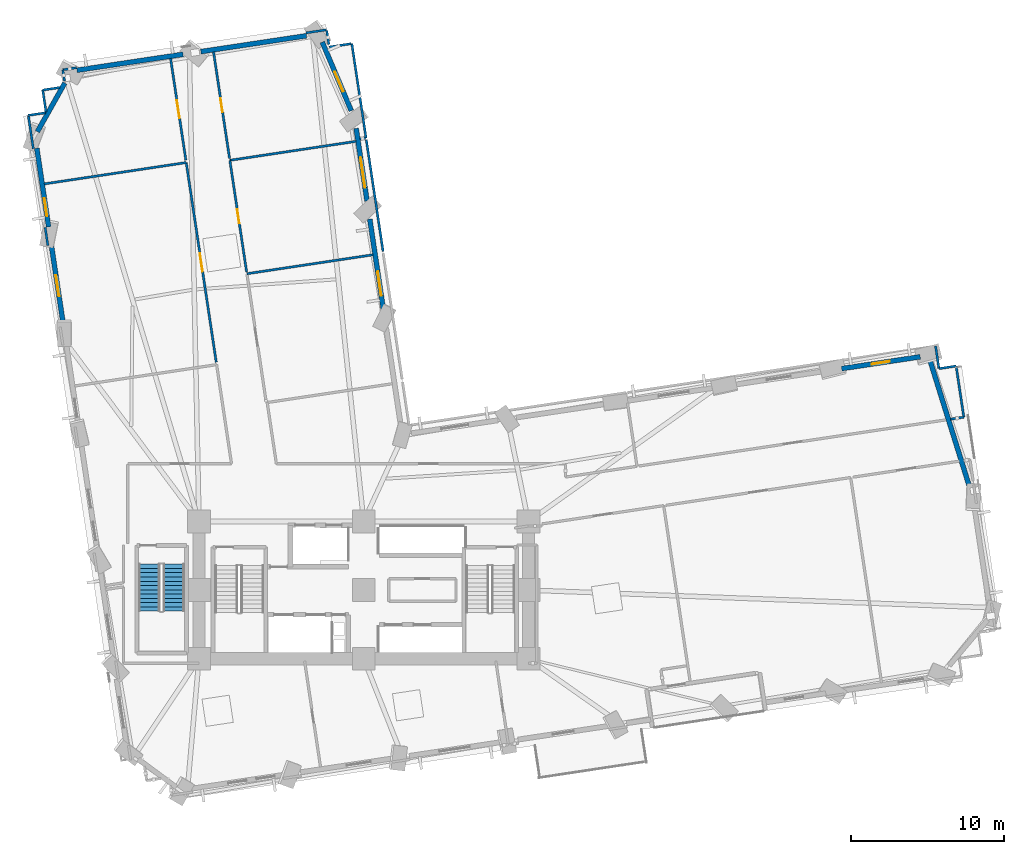
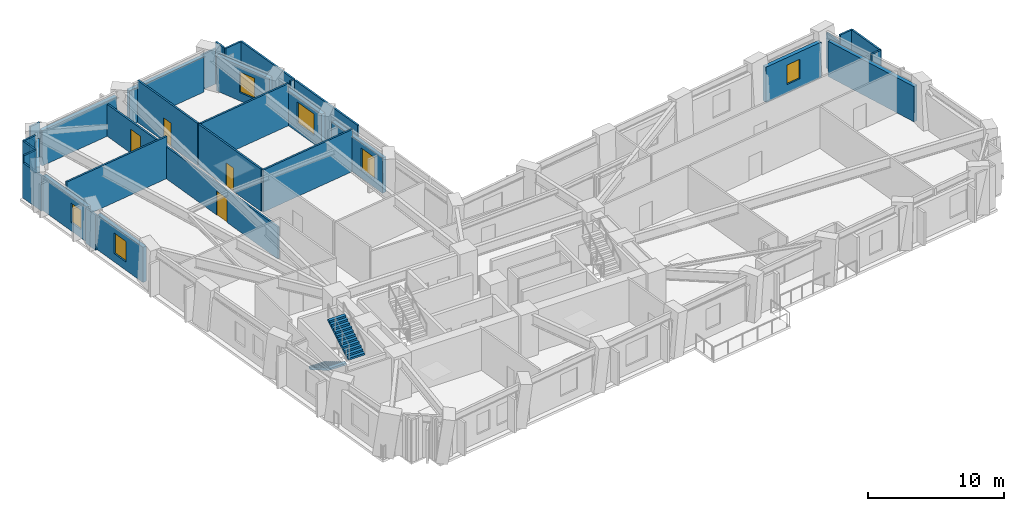
# One storey, part 10 of 15: 34 walls, 6 windows, 4 doors, 2 stair flights, 10 openings, 1 element without a shape of its own.
"""IFC4 building model written with IfcOpenShell, lengths in metres."""

from ifc_helpers import new_model, si_unit, direction, frame, frame_2d, origin, place, context, subcontext, project, spatial, polyline, rectangle, outline, extrude, material, layer, layer_set, type_object, element, fill, aggregate, save


model = new_model("IFC4")

# Units and contexts
model_context = context("Model", 3, precision=1e-05, world=origin(), true_north=direction((0.0, 1.0)))
body_context = subcontext(model_context, "Body", "Model", "MODEL_VIEW")
ifc_project = project(units=[si_unit("LENGTHUNIT", "METRE"), si_unit("AREAUNIT", "SQUARE_METRE"), si_unit("VOLUMEUNIT", "CUBIC_METRE"), si_unit("PLANEANGLEUNIT", "RADIAN"), si_unit("MASSUNIT", "GRAM", prefix="KILO")], contexts=[model_context])

# Site, building, storey
site_placement = place(None, origin())
site = spatial("IfcSite", under=ifc_project, at=site_placement, CompositionType="ELEMENT")
building_placement = place(site_placement, origin())
building = spatial("IfcBuilding", under=site, at=building_placement, Name="Gaonmaruhae Medical Tower", CompositionType="ELEMENT")
storey_placement = place(building_placement, frame((0.0, 0.0, 59.0)))
storey = spatial("IfcBuildingStorey", under=building, at=storey_placement, Name="L13", CompositionType="ELEMENT", Elevation=59.0)

# Wall
ifc_material_1 = material(Name="Precast concrete C45/55", Category="concrete")
ifc_layer_1 = layer(ifc_material_1, 0.320068359375)
ifc_layer_set_1 = layer_set([ifc_layer_1], Name="Precast concrete C45/55")
wall_type_1 = type_object("IfcWallType", Name="EW-320 Lower Precast Masonry-Frame Facade Wall", PredefinedType="SOLIDWALL", material=ifc_layer_set_1)
wall_1_placement = place(storey_placement, frame((61.947509765625, 27.32177734375, 0.0), z_axis=(0.0, 0.0, 1.0), x_axis=(0.298050664907, -0.954550051673, 0.0)))
element("IfcWall", 1, at=wall_1_placement, inside=storey, type_object=wall_type_1, Name="L13 Precast Masonry-Frame Wall E02-E03", PredefinedType="SOLIDWALL", context=body_context, shape_type="SweptSolid", body=[
    extrude(rectangle(XDim=8.614013671875, YDim=0.320068359375, at=frame_2d((4.30712890625, 0.0))), origin(), (0.0, 0.0, 1.0), 3.1650390625),
])

# Wall, opening, window
wall_2_placement = place(storey_placement, frame((56.13916015625, 26.823486328125, 0.0), z_axis=(0.0, 0.0, 1.0), x_axis=(0.988887137773, 0.148668183374, 0.0)))
wall_2 = element("IfcWall", 2, at=wall_2_placement, inside=storey, type_object=wall_type_1, Name="L13 Precast Masonry-Frame Wall E03-EN01", PredefinedType="SOLIDWALL", context=body_context, shape_type="SweptSolid", body=[
    extrude(rectangle(XDim=5.208984375, YDim=0.320068359375, at=frame_2d((2.6044921875, 0.0))), origin(), (0.0, 0.0, 1.0), 3.1650390625),
])
opening_1_placement = place(wall_2_placement, frame((2.0, 0.0, 0.75)))
opening_1 = element("IfcOpeningElement", 3, at=opening_1_placement, cuts=wall_2, Name="Opening WN-05", PredefinedType="OPENING", context=body_context, shape_type="SweptSolid", body=[
    extrude(rectangle(XDim=1.199951171875, YDim=1.75, at=frame_2d((0.60009765625, 0.875))), frame((0.0, 0.169921875, 0.0), z_axis=(0.0, -1.0, 0.0), x_axis=(1.0, 0.0, 0.0)), (0.0, 0.0, 1.0), 0.340087890625),
])
ifc_material_2 = material(Name="Anodised aluminium and Low-E double glazing", Category="aluminium")
window_type_1 = type_object("IfcWindowType", Name="WN-05 Support & Staff Punched Window 1200x1750", PartitioningType="SINGLE_PANEL", PredefinedType="WINDOW", material=ifc_material_2)
window_1_placement = place(opening_1_placement, origin())
window_1 = element("IfcWindow", 4, at=window_1_placement, inside=storey, type_object=window_type_1, Name="L13 Modular Facade Window E03", OverallHeight=1.75, OverallWidth=1.199951171875, PartitioningType="SINGLE_PANEL", PredefinedType="WINDOW", context=body_context, shape_type="SweptSolid", body=[
    extrude(rectangle(XDim=1.199951171875, YDim=1.75, at=frame_2d((0.60009765625, 0.875))), frame((0.0, 0.030029296875, 0.0), z_axis=(0.0, -1.0, 0.0), x_axis=(1.0, 0.0, 0.0)), (0.0, 0.0, 1.0), 0.06005859375),
])
fill(opening_1, window_1)

wall_3_placement = place(storey_placement, frame((26.08935546875, 30.69970703125, 0.0), z_axis=(0.0, 0.0, 1.0), x_axis=(-0.148645050691, 0.988890615238, 0.0)))
wall_3 = element("IfcWall", 5, at=wall_3_placement, inside=storey, type_object=wall_type_1, Name="L13 Precast Masonry-Frame Wall NE01-NE02", PredefinedType="SOLIDWALL", context=body_context, shape_type="SweptSolid", body=[
    extrude(rectangle(XDim=5.99658203125, YDim=0.320068359375, at=frame_2d((2.998291015625, 0.0))), origin(), (0.0, 0.0, 1.0), 3.1650390625),
])
opening_2_placement = place(wall_3_placement, frame((0.920166015625, 0.0, 0.75)))
opening_2 = element("IfcOpeningElement", 6, at=opening_2_placement, cuts=wall_3, Name="Opening WN-01", PredefinedType="OPENING", context=body_context, shape_type="SweptSolid", body=[
    extrude(rectangle(XDim=1.60009765625, YDim=1.949951171875, at=frame_2d((0.800048828125, 0.97509765625))), frame((0.0, 0.169921875, 0.0), z_axis=(0.0, -1.0, 0.0), x_axis=(1.0, 0.0, 0.0)), (0.0, 0.0, 1.0), 0.340087890625),
])
window_type_2 = type_object("IfcWindowType", Name="WN-01 Ward Punched Acoustic Window 1600x1950", PartitioningType="SINGLE_PANEL", PredefinedType="WINDOW", material=ifc_material_2)
window_2_placement = place(opening_2_placement, origin())
window_2 = element("IfcWindow", 7, at=window_2_placement, inside=storey, type_object=window_type_2, Name="L13 Modular Facade Window NE01", OverallHeight=1.949951171875, OverallWidth=1.60009765625, PartitioningType="SINGLE_PANEL", PredefinedType="WINDOW", context=body_context, shape_type="SweptSolid", body=[
    extrude(rectangle(XDim=1.60009765625, YDim=1.949951171875, at=frame_2d((0.800048828125, 0.97509765625))), frame((0.0, 0.030029296875, 0.0), z_axis=(0.0, -1.0, 0.0), x_axis=(1.0, 0.0, 0.0)), (0.0, 0.0, 1.0), 0.06005859375),
])
fill(opening_2, window_2)

wall_4_placement = place(storey_placement, frame((25.020263671875, 37.811279296875, 0.0), z_axis=(0.0, 0.0, 1.0), x_axis=(-0.148677559995, 0.988885728056, 0.0)))
wall_4 = element("IfcWall", 8, at=wall_4_placement, inside=storey, type_object=wall_type_1, Name="L13 Precast Masonry-Frame Wall NE02-NE03", PredefinedType="SOLIDWALL", context=body_context, shape_type="SweptSolid", body=[
    extrude(rectangle(XDim=4.816162109375, YDim=0.320068359375, at=frame_2d((2.408203125, 0.0))), origin(), (0.0, 0.0, 1.0), 3.1650390625),
])
opening_3_placement = place(wall_4_placement, frame((0.88623046875, 0.0, 0.75)))
opening_3 = element("IfcOpeningElement", 9, at=opening_3_placement, cuts=wall_4, Name="Opening WN-02", PredefinedType="OPENING", context=body_context, shape_type="SweptSolid", body=[
    extrude(rectangle(XDim=2.0, YDim=1.949951171875, at=frame_2d((1.0, 0.97509765625))), frame((0.0, 0.169921875, 0.0), z_axis=(0.0, -1.0, 0.0), x_axis=(1.0, 0.0, 0.0)), (0.0, 0.0, 1.0), 0.340087890625),
])
window_type_3 = type_object("IfcWindowType", Name="WN-02 Double-Bed Ward Punched Window 2000x1950", PartitioningType="SINGLE_PANEL", PredefinedType="WINDOW", material=ifc_material_2)
window_3_placement = place(opening_3_placement, origin())
window_3 = element("IfcWindow", 10, at=window_3_placement, inside=storey, type_object=window_type_3, Name="L13 Modular Facade Window NE02", OverallHeight=1.949951171875, OverallWidth=2.0, PartitioningType="SINGLE_PANEL", PredefinedType="WINDOW", context=body_context, shape_type="SweptSolid", body=[
    extrude(rectangle(XDim=2.0, YDim=1.949951171875, at=frame_2d((1.0, 0.97509765625))), frame((0.0, 0.030029296875, 0.0), z_axis=(0.0, -1.0, 0.0), x_axis=(1.0, 0.0, 0.0)), (0.0, 0.0, 1.0), 0.06005859375),
])
fill(opening_3, window_3)

wall_5_placement = place(storey_placement, frame((22.081787109375, 48.23583984375, 0.0), z_axis=(0.0, 0.0, 1.0), x_axis=(0.389648135914, -0.920963805032, 0.0)))
wall_5 = element("IfcWall", 11, at=wall_5_placement, inside=storey, type_object=wall_type_1, Name="L13 Precast Masonry-Frame Wall NE03-N01", PredefinedType="SOLIDWALL", context=body_context, shape_type="SweptSolid", body=[
    extrude(rectangle(XDim=4.88916015625, YDim=0.320068359375, at=frame_2d((2.444580078125, 0.0))), origin(), (0.0, 0.0, 1.0), 3.1650390625),
])
opening_4_placement = place(wall_5_placement, frame((2.11474609375, 0.0, 0.75)))
opening_4 = element("IfcOpeningElement", 12, at=opening_4_placement, cuts=wall_5, Name="Opening WN-03", PredefinedType="OPENING", context=body_context, shape_type="SweptSolid", body=[
    extrude(rectangle(XDim=1.39990234375, YDim=1.85009765625, at=frame_2d((0.699951171875, 0.925048828125))), frame((0.0, 0.169921875, 0.0), z_axis=(0.0, -1.0, 0.0), x_axis=(1.0, 0.0, 0.0)), (0.0, 0.0, 1.0), 0.340087890625),
])
window_type_4 = type_object("IfcWindowType", Name="WN-03 Isolation Ward Punched Window 1400x1850", PartitioningType="SINGLE_PANEL", PredefinedType="WINDOW", material=ifc_material_2)
window_4_placement = place(opening_4_placement, origin())
window_4 = element("IfcWindow", 13, at=window_4_placement, inside=storey, type_object=window_type_4, Name="L13 Modular Facade Window NE03", OverallHeight=1.85009765625, OverallWidth=1.39990234375, PartitioningType="SINGLE_PANEL", PredefinedType="WINDOW", context=body_context, shape_type="SweptSolid", body=[
    extrude(rectangle(XDim=1.39990234375, YDim=1.85009765625, at=frame_2d((0.699951171875, 0.925048828125))), frame((0.0, 0.030029296875, 0.0), z_axis=(0.0, -1.0, 0.0), x_axis=(1.0, 0.0, 0.0)), (0.0, 0.0, 1.0), 0.06005859375),
])
fill(opening_4, window_4)

# Walls
wall_6_placement = place(storey_placement, frame((14.125, 47.608154296875, 0.0), z_axis=(0.0, 0.0, 1.0), x_axis=(0.988884639761, 0.1486847983, 0.0)))
element("IfcWall", 14, at=wall_6_placement, inside=storey, type_object=wall_type_1, Name="L13 Precast Masonry-Frame Wall N01-N02", PredefinedType="SOLIDWALL", context=body_context, shape_type="SweptSolid", body=[
    extrude(rectangle(XDim=7.003173828125, YDim=0.320068359375, at=frame_2d((3.50146484375, 0.0))), origin(), (0.0, 0.0, 1.0), 3.1650390625),
])
wall_7_placement = place(storey_placement, frame((5.9970703125, 46.385986328125, 0.0), z_axis=(0.0, 0.0, 1.0), x_axis=(0.988885892839, 0.14867646399, 0.0)))
element("IfcWall", 15, at=wall_7_placement, inside=storey, type_object=wall_type_1, Name="L13 Precast Masonry-Frame Wall N02-N03", PredefinedType="SOLIDWALL", context=body_context, shape_type="SweptSolid", body=[
    extrude(rectangle(XDim=7.03466796875, YDim=0.320068359375, at=frame_2d((3.517333984375, 0.0))), origin(), (0.0, 0.0, 1.0), 3.1650390625),
])
wall_8_placement = place(storey_placement, frame((3.39990234375, 42.356201171875, 0.0), z_axis=(0.0, 0.0, 1.0), x_axis=(0.490548940901, 0.871413642641, 0.0)))
element("IfcWall", 16, at=wall_8_placement, inside=storey, type_object=wall_type_1, Name="L13 Precast Masonry-Frame Wall N03-W01", PredefinedType="SOLIDWALL", context=body_context, shape_type="SweptSolid", body=[
    extrude(rectangle(XDim=3.666015625, YDim=0.320068359375, at=frame_2d((1.8330078125, 0.0))), origin(), (0.0, 0.0, 1.0), 3.1650390625),
])

# Wall, opening, window
wall_9_placement = place(storey_placement, frame((4.140869140625, 36.1123046875, 0.0), z_axis=(0.0, 0.0, 1.0), x_axis=(-0.14868786964, 0.988884177961, 0.0)))
wall_9 = element("IfcWall", 17, at=wall_9_placement, inside=storey, type_object=wall_type_1, Name="L13 Precast Masonry-Frame Wall W01-W02", PredefinedType="SOLIDWALL", context=body_context, shape_type="SweptSolid", body=[
    extrude(rectangle(XDim=5.22314453125, YDim=0.320068359375, at=frame_2d((2.611572265625, 0.0))), origin(), (0.0, 0.0, 1.0), 3.1650390625),
])
opening_5_placement = place(wall_9_placement, frame((0.714599609375, 0.0, 0.75)))
opening_5 = element("IfcOpeningElement", 18, at=opening_5_placement, cuts=wall_9, Name="Opening WN-05", PredefinedType="OPENING", context=body_context, shape_type="SweptSolid", body=[
    extrude(rectangle(XDim=1.199951171875, YDim=1.75, at=frame_2d((0.60009765625, 0.875))), frame((0.0, 0.169921875, 0.0), z_axis=(0.0, -1.0, 0.0), x_axis=(1.0, 0.0, 0.0)), (0.0, 0.0, 1.0), 0.340087890625),
])
window_5_placement = place(opening_5_placement, origin())
window_5 = element("IfcWindow", 19, at=window_5_placement, inside=storey, type_object=window_type_1, Name="L13 Modular Facade Window W01", OverallHeight=1.75, OverallWidth=1.199951171875, PartitioningType="SINGLE_PANEL", PredefinedType="WINDOW", context=body_context, shape_type="SweptSolid", body=[
    extrude(rectangle(XDim=1.199951171875, YDim=1.75, at=frame_2d((0.60009765625, 0.875))), frame((0.0, 0.030029296875, 0.0), z_axis=(0.0, -1.0, 0.0), x_axis=(1.0, 0.0, 0.0)), (0.0, 0.0, 1.0), 0.06005859375),
])
fill(opening_5, window_5)

wall_10_placement = place(storey_placement, frame((5.12060546875, 29.594970703125, 0.0), z_axis=(0.0, 0.0, 1.0), x_axis=(-0.148683082454, 0.988884897747, 0.0)))
wall_10 = element("IfcWall", 20, at=wall_10_placement, inside=storey, type_object=wall_type_1, Name="L13 Precast Masonry-Frame Wall W02-W03", PredefinedType="SOLIDWALL", context=body_context, shape_type="SweptSolid", body=[
    extrude(rectangle(XDim=5.400634765625, YDim=0.320068359375, at=frame_2d((2.7001953125, 0.0))), origin(), (0.0, 0.0, 1.0), 3.1650390625),
])
opening_6_placement = place(wall_10_placement, frame((1.998291015625, 0.0, 0.75)))
opening_6 = element("IfcOpeningElement", 21, at=opening_6_placement, cuts=wall_10, Name="Opening WN-03", PredefinedType="OPENING", context=body_context, shape_type="SweptSolid", body=[
    extrude(rectangle(XDim=1.39990234375, YDim=1.85009765625, at=frame_2d((0.699951171875, 0.925048828125))), frame((0.0, 0.169921875, 0.0), z_axis=(0.0, -1.0, 0.0), x_axis=(1.0, 0.0, 0.0)), (0.0, 0.0, 1.0), 0.340087890625),
])
window_6_placement = place(opening_6_placement, origin())
window_6 = element("IfcWindow", 22, at=window_6_placement, inside=storey, type_object=window_type_4, Name="L13 Modular Facade Window W02", OverallHeight=1.85009765625, OverallWidth=1.39990234375, PartitioningType="SINGLE_PANEL", PredefinedType="WINDOW", context=body_context, shape_type="SweptSolid", body=[
    extrude(rectangle(XDim=1.39990234375, YDim=1.85009765625, at=frame_2d((0.699951171875, 0.925048828125))), frame((0.0, 0.030029296875, 0.0), z_axis=(0.0, -1.0, 0.0), x_axis=(1.0, 0.0, 0.0)), (0.0, 0.0, 1.0), 0.06005859375),
])
fill(opening_6, window_6)

# Wall
ifc_material_3 = material(Name="Gypsum board partition", Category="gypsum")
ifc_layer_2 = layer(ifc_material_3, 0.14990234375)
ifc_layer_set_2 = layer_set([ifc_layer_2], Name="Gypsum board partition")
wall_type_2 = type_object("IfcWallType", Name="PW-150 Rated Clinical Corridor Partition", PredefinedType="PARTITIONING", material=ifc_layer_set_2)
wall_11_placement = place(storey_placement, frame((3.85302734375, 38.93408203125, 0.0), z_axis=(0.0, 0.0, 1.0), x_axis=(0.988883411983, 0.148692963872, 0.0)))
element("IfcWall", 23, at=wall_11_placement, inside=storey, type_object=wall_type_2, Name="L13 Interior Partition L13-WOF07-51", PredefinedType="PARTITIONING", context=body_context, shape_type="SweptSolid", body=[
    extrude(rectangle(XDim=9.414794921875, YDim=0.14990234375, at=frame_2d((4.70751953125, 0.0))), origin(), (0.0, 0.0, 1.0), 3.780029296875),
])

# Wall, opening, door
wall_12_placement = place(storey_placement, frame((13.1630859375, 40.333984375, 0.0), z_axis=(0.0, 0.0, 1.0), x_axis=(0.148712834823, -0.988880423893, 0.0)))
wall_12 = element("IfcWall", 24, at=wall_12_placement, inside=storey, type_object=wall_type_2, Name="L13 Interior Partition L13-WOF07-52", PredefinedType="PARTITIONING", context=body_context, shape_type="SweptSolid", body=[
    extrude(rectangle(XDim=13.240234375, YDim=0.14990234375, at=frame_2d((6.6201171875, 0.0))), origin(), (0.0, 0.0, 1.0), 2.864990234375),
])
opening_7_placement = place(wall_12_placement, frame((6.02001953125, 0.0, 0.0)))
opening_7 = element("IfcOpeningElement", 25, at=opening_7_placement, cuts=wall_12, Name="Opening CD-02", PredefinedType="OPENING", context=body_context, shape_type="SweptSolid", body=[
    extrude(rectangle(XDim=1.199951171875, YDim=2.14990234375, at=frame_2d((0.60009765625, 1.074951171875))), frame((0.0, 0.0849609375, 0.0), z_axis=(0.0, -1.0, 0.0), x_axis=(1.0, 0.0, 0.0)), (0.0, 0.0, 1.0), 0.169921875),
])
ifc_material_4 = material(Name="Antimicrobial laminate timber fire door", Category="wood")
door_type_1 = type_object("IfcDoorType", Name="CD-02 Clinical Treatment & Procedure Door 1200x2150", OperationType="NOTDEFINED", PredefinedType="DOOR", material=ifc_material_4)
door_1_placement = place(opening_7_placement, origin())
door_1 = element("IfcDoor", 26, at=door_1_placement, inside=storey, type_object=door_type_1, Name="L13 Ward Physician Reporting Office Door", OperationType="SINGLE_SWING_LEFT", OverallHeight=2.14990234375, OverallWidth=1.199951171875, PredefinedType="DOOR", context=body_context, shape_type="SweptSolid", body=[
    extrude(rectangle(XDim=1.199951171875, YDim=2.14990234375, at=frame_2d((0.60009765625, 1.074951171875))), frame((0.0, 0.02490234375, 0.0), z_axis=(0.0, -1.0, 0.0), x_axis=(1.0, 0.0, 0.0)), (0.0, 0.0, 1.0), 0.050048828125),
])
fill(opening_7, door_1)

# Walls
wall_13_placement = place(storey_placement, frame((4.090087890625, 34.90087890625, 0.0), z_axis=(0.0, 0.0, 1.0), x_axis=(-0.148711563155, 0.988880615132, 0.0)))
element("IfcWall", 27, at=wall_13_placement, inside=storey, type_object=wall_type_2, Name="L13 Interior Partition L13-WOF07-54", PredefinedType="PARTITIONING", context=body_context, shape_type="SweptSolid", body=[
    extrude(rectangle(XDim=1.190185546875, YDim=0.14990234375, at=frame_2d((0.59521484375, 0.0))), origin(), (0.0, 0.0, 1.0), 3.1650390625),
])
wall_14_placement = place(storey_placement, frame((3.751953125, 45.087890625, 0.0), z_axis=(0.0, 0.0, 1.0), x_axis=(0.988898574791, 0.148592088537, 0.0)))
element("IfcWall", 28, at=wall_14_placement, inside=storey, type_object=wall_type_2, Name="L13 Interior Partition L13-WOF08-55", PredefinedType="PARTITIONING", context=body_context, shape_type="SweptSolid", body=[
    extrude(rectangle(XDim=1.138671875, YDim=0.14990234375, at=frame_2d((0.5693359375, 0.0))), origin(), (0.0, 0.0, 1.0), 3.780029296875),
])
wall_15_placement = place(storey_placement, frame((5.178955078125, 45.68408203125, 0.0), z_axis=(0.0, 0.0, 1.0), x_axis=(-0.148050860535, 0.988979748374, 0.0)))
element("IfcWall", 29, at=wall_15_placement, inside=storey, type_object=wall_type_2, Name="L13 Interior Partition L13-WOF08-56", PredefinedType="PARTITIONING", context=body_context, shape_type="SweptSolid", body=[
    extrude(rectangle(XDim=0.741943359375, YDim=0.14990234375, at=frame_2d((0.37109375, 0.0))), origin(), (0.0, 0.0, 1.0), 2.864990234375),
])
wall_16_placement = place(storey_placement, frame((5.069091796875, 46.41796875, 0.0), z_axis=(0.0, 0.0, 1.0), x_axis=(0.9888459469, 0.1489419125, 0.0)))
element("IfcWall", 30, at=wall_16_placement, inside=storey, type_object=wall_type_2, Name="L13 Interior Partition L13-WOF08-57", PredefinedType="PARTITIONING", context=body_context, shape_type="SweptSolid", body=[
    extrude(rectangle(XDim=0.9130859375, YDim=0.14990234375, at=frame_2d((0.45654296875, 0.0))), origin(), (0.0, 0.0, 1.0), 3.780029296875),
])

# Wall, opening, door
wall_17_placement = place(storey_placement, frame((12.135009765625, 47.172119140625, 0.0), z_axis=(0.0, 0.0, 1.0), x_axis=(0.14875397829, -0.988874235655, 0.0)))
wall_17 = element("IfcWall", 31, at=wall_17_placement, inside=storey, type_object=wall_type_2, Name="L13 Interior Partition L13-WOF08-58", PredefinedType="PARTITIONING", context=body_context, shape_type="SweptSolid", body=[
    extrude(rectangle(XDim=6.75537109375, YDim=0.14990234375, at=frame_2d((3.377685546875, 0.0))), origin(), (0.0, 0.0, 1.0), 2.864990234375),
])
opening_8_placement = place(wall_17_placement, frame((2.777587890625, 0.0, 0.0)))
opening_8 = element("IfcOpeningElement", 32, at=opening_8_placement, cuts=wall_17, Name="Opening CD-02", PredefinedType="OPENING", context=body_context, shape_type="SweptSolid", body=[
    extrude(rectangle(XDim=1.199951171875, YDim=2.14990234375, at=frame_2d((0.60009765625, 1.074951171875))), frame((0.0, 0.0849609375, 0.0), z_axis=(0.0, -1.0, 0.0), x_axis=(1.0, 0.0, 0.0)), (0.0, 0.0, 1.0), 0.169921875),
])
door_2_placement = place(opening_8_placement, origin())
door_2 = element("IfcDoor", 33, at=door_2_placement, inside=storey, type_object=door_type_1, Name="L13 Ward Physician Reporting Office Door", OperationType="SINGLE_SWING_LEFT", OverallHeight=2.14990234375, OverallWidth=1.199951171875, PredefinedType="DOOR", context=body_context, shape_type="SweptSolid", body=[
    extrude(rectangle(XDim=1.199951171875, YDim=2.14990234375, at=frame_2d((0.60009765625, 1.074951171875))), frame((0.0, 0.02490234375, 0.0), z_axis=(0.0, -1.0, 0.0), x_axis=(1.0, 0.0, 0.0)), (0.0, 0.0, 1.0), 0.050048828125),
])
fill(opening_8, door_2)

# Walls
wall_18_placement = place(storey_placement, frame((3.136962890625, 41.242919921875, 0.0), z_axis=(0.0, 0.0, 1.0), x_axis=(-0.148761674769, 0.988873077862, 0.0)))
element("IfcWall", 34, at=wall_18_placement, inside=storey, type_object=wall_type_2, Name="L13 Interior Partition L13-WOF08-59", PredefinedType="PARTITIONING", context=body_context, shape_type="SweptSolid", body=[
    extrude(rectangle(XDim=2.210693359375, YDim=0.14990234375, at=frame_2d((1.10546875, 0.0))), origin(), (0.0, 0.0, 1.0), 3.1650390625),
])
wall_19_placement = place(storey_placement, frame((2.80810546875, 43.428955078125, 0.0), z_axis=(0.0, 0.0, 1.0), x_axis=(0.988734554704, 0.149679592241, 0.0)))
element("IfcWall", 35, at=wall_19_placement, inside=storey, type_object=wall_type_2, Name="L13 Interior Partition L13-WOF08-60", PredefinedType="PARTITIONING", context=body_context, shape_type="SweptSolid", body=[
    extrude(rectangle(XDim=1.14990234375, YDim=0.14990234375, at=frame_2d((0.574951171875, 0.0))), origin(), (0.0, 0.0, 1.0), 3.780029296875),
])
wall_20_placement = place(storey_placement, frame((3.968994140625, 43.64306640625, 0.0), z_axis=(0.0, 0.0, 1.0), x_axis=(-0.148552900816, 0.988904462352, 0.0)))
element("IfcWall", 36, at=wall_20_placement, inside=storey, type_object=wall_type_2, Name="L13 Interior Partition L13-WOF08-61", PredefinedType="PARTITIONING", context=body_context, shape_type="SweptSolid", body=[
    extrude(rectangle(XDim=1.4609375, YDim=0.14990234375, at=frame_2d((0.73046875, 0.0))), origin(), (0.0, 0.0, 1.0), 3.780029296875),
])
wall_21_placement = place(storey_placement, frame((63.64794921875, 26.991943359375, 0.0), z_axis=(0.0, 0.0, 1.0), x_axis=(0.148685493324, -0.988884535259, 0.0)))
element("IfcWall", 37, at=wall_21_placement, inside=storey, type_object=wall_type_2, Name="L13 Interior Partition L13-IE02-70", PredefinedType="PARTITIONING", context=body_context, shape_type="SweptSolid", body=[
    extrude(rectangle(XDim=3.390625, YDim=0.14990234375, at=frame_2d((1.6953125, 0.0))), origin(), (0.0, 0.0, 1.0), 3.780029296875),
])
wall_22_placement = place(storey_placement, frame((64.152099609375, 23.638916015625, 0.0), z_axis=(0.0, 0.0, 1.0), x_axis=(-0.988928228483, -0.148394605394, 0.0)))
element("IfcWall", 38, at=wall_22_placement, inside=storey, type_object=wall_type_2, Name="L13 Interior Partition L13-IE02-71", PredefinedType="PARTITIONING", context=body_context, shape_type="SweptSolid", body=[
    extrude(rectangle(XDim=0.8818359375, YDim=0.14990234375, at=frame_2d((0.44091796875, 0.0))), origin(), (0.0, 0.0, 1.0), 3.780029296875),
])
wall_23_placement = place(storey_placement, frame((62.298095703125, 28.305908203125, 0.0), z_axis=(0.0, 0.0, 1.0), x_axis=(0.148547308506, -0.98890530241, 0.0)))
element("IfcWall", 39, at=wall_23_placement, inside=storey, type_object=wall_type_2, Name="L13 Interior Partition L13-IE02-74", PredefinedType="PARTITIONING", context=body_context, shape_type="SweptSolid", body=[
    extrude(rectangle(XDim=1.50048828125, YDim=0.14990234375, at=frame_2d((0.750244140625, 0.0))), origin(), (0.0, 0.0, 1.0), 3.1650390625),
])
wall_24_placement = place(storey_placement, frame((62.52099609375, 26.822021484375, 0.0), z_axis=(0.0, 0.0, 1.0), x_axis=(0.988822933867, 0.149094619145, 0.0)))
element("IfcWall", 40, at=wall_24_placement, inside=storey, type_object=wall_type_2, Name="L13 Interior Partition L13-IE02-75", PredefinedType="PARTITIONING", context=body_context, shape_type="SweptSolid", body=[
    extrude(rectangle(XDim=1.1396484375, YDim=0.14990234375, at=frame_2d((0.56982421875, 0.0))), origin(), (0.0, 0.0, 1.0), 3.780029296875),
])
wall_25_placement = place(storey_placement, frame((17.14111328125, 33.044921875, 0.0), z_axis=(0.0, 0.0, 1.0), x_axis=(0.988894782311, 0.148617325764, 0.0)))
element("IfcWall", 41, at=wall_25_placement, inside=storey, type_object=wall_type_2, Name="L13 Interior Partition L13-IN01-77", PredefinedType="PARTITIONING", context=body_context, shape_type="SweptSolid", body=[
    extrude(rectangle(XDim=8.36474609375, YDim=0.14990234375, at=frame_2d((4.182373046875, 0.0))), origin(), (0.0, 0.0, 1.0), 3.780029296875),
])

# Wall, opening, door
wall_26_placement = place(storey_placement, frame((17.123046875, 33.1630859375, 0.0), z_axis=(0.0, 0.0, 1.0), x_axis=(-0.148659874273, 0.988888386918, 0.0)))
wall_26 = element("IfcWall", 42, at=wall_26_placement, inside=storey, type_object=wall_type_2, Name="L13 Interior Partition L13-IN02-79", PredefinedType="PARTITIONING", context=body_context, shape_type="SweptSolid", body=[
    extrude(rectangle(XDim=7.400146484375, YDim=0.14990234375, at=frame_2d((3.7001953125, 0.0))), origin(), (0.0, 0.0, 1.0), 3.780029296875),
])
opening_9_placement = place(wall_26_placement, frame((3.239990234375, 0.0, 0.0)))
opening_9 = element("IfcOpeningElement", 43, at=opening_9_placement, cuts=wall_26, Name="Opening UD-01", PredefinedType="OPENING", context=body_context, shape_type="SweptSolid", body=[
    extrude(rectangle(XDim=0.919921875, YDim=2.10009765625, at=frame_2d((0.4599609375, 1.050048828125))), frame((0.0, 0.0849609375, 0.0), z_axis=(0.0, -1.0, 0.0), x_axis=(1.0, 0.0, 0.0)), (0.0, 0.0, 1.0), 0.169921875),
])
ifc_material_5 = material(Name="Powder-coated steel utility door", Category="steel")
door_type_2 = type_object("IfcDoorType", Name="UD-01 Toilet, Utility & Housekeeping Door 920x2100", OperationType="NOTDEFINED", PredefinedType="DOOR", material=ifc_material_5)
door_3_placement = place(opening_9_placement, origin())
door_3 = element("IfcDoor", 44, at=door_3_placement, inside=storey, type_object=door_type_2, Name="L13 Ward Nutrition Pantry Door", OperationType="SINGLE_SWING_RIGHT", OverallHeight=2.10009765625, OverallWidth=0.919921875, PredefinedType="DOOR", context=body_context, shape_type="SweptSolid", body=[
    extrude(rectangle(XDim=0.919921875, YDim=2.10009765625, at=frame_2d((0.4599609375, 1.050048828125))), frame((0.0, 0.02490234375, 0.0), z_axis=(0.0, -1.0, 0.0), x_axis=(1.0, 0.0, 0.0)), (0.0, 0.0, 1.0), 0.050048828125),
])
fill(opening_9, door_3)

# Walls
wall_27_placement = place(storey_placement, frame((16.02294921875, 40.48095703125, 0.0), z_axis=(0.0, 0.0, 1.0), x_axis=(0.98887761826, 0.148731489955, 0.0)))
element("IfcWall", 45, at=wall_27_placement, inside=storey, type_object=wall_type_2, Name="L13 Interior Partition L13-IN02-80", PredefinedType="PARTITIONING", context=body_context, shape_type="SweptSolid", body=[
    extrude(rectangle(XDim=8.364990234375, YDim=0.14990234375, at=frame_2d((4.1826171875, 0.0))), origin(), (0.0, 0.0, 1.0), 3.780029296875),
])
wall_28_placement = place(storey_placement, frame((24.972900390625, 41.826904296875, 0.0), z_axis=(0.0, 0.0, 1.0), x_axis=(0.148659874273, -0.988888386918, 0.0)))
element("IfcWall", 46, at=wall_28_placement, inside=storey, type_object=wall_type_2, Name="L13 Interior Partition L13-IN02-81", PredefinedType="PARTITIONING", context=body_context, shape_type="SweptSolid", body=[
    extrude(rectangle(XDim=7.400146484375, YDim=0.14990234375, at=frame_2d((3.7001953125, 0.0))), origin(), (0.0, 0.0, 1.0), 3.780029296875),
])
wall_29_placement = place(storey_placement, frame((24.02392578125, 48.135986328125, 0.0), z_axis=(0.0, 0.0, 1.0), x_axis=(0.148733268236, -0.988877350797, 0.0)))
element("IfcWall", 47, at=wall_29_placement, inside=storey, type_object=wall_type_2, Name="L13 Interior Partition L13-IN03-82", PredefinedType="PARTITIONING", context=body_context, shape_type="SweptSolid", body=[
    extrude(rectangle(XDim=6.260498046875, YDim=0.14990234375, at=frame_2d((3.13037109375, 0.0))), origin(), (0.0, 0.0, 1.0), 3.780029296875),
])
wall_30_placement = place(storey_placement, frame((24.906005859375, 41.93798828125, 0.0), z_axis=(0.0, 0.0, 1.0), x_axis=(-0.988625320152, -0.150399389475, 0.0)))
element("IfcWall", 48, at=wall_30_placement, inside=storey, type_object=wall_type_2, Name="L13 Interior Partition L13-IN03-83", PredefinedType="PARTITIONING", context=body_context, shape_type="SweptSolid", body=[
    extrude(rectangle(XDim=0.365234375, YDim=0.14990234375, at=frame_2d((0.1826171875, 0.0))), origin(), (0.0, 0.0, 1.0), 3.780029296875),
])

# Wall, opening, door
wall_31_placement = place(storey_placement, frame((16.0048828125, 40.60009765625, 0.0), z_axis=(0.0, 0.0, 1.0), x_axis=(-0.148703261216, 0.988881863573, 0.0)))
wall_31 = element("IfcWall", 49, at=wall_31_placement, inside=storey, type_object=wall_type_2, Name="L13 Interior Partition L13-IN03-84", PredefinedType="PARTITIONING", context=body_context, shape_type="SweptSolid", body=[
    extrude(rectangle(XDim=7.074462890625, YDim=0.14990234375, at=frame_2d((3.537109375, 0.0))), origin(), (0.0, 0.0, 1.0), 3.780029296875),
])
opening_10_placement = place(wall_31_placement, frame((3.077392578125, 0.0, 0.0)))
opening_10 = element("IfcOpeningElement", 50, at=opening_10_placement, cuts=wall_31, Name="Opening UD-01", PredefinedType="OPENING", context=body_context, shape_type="SweptSolid", body=[
    extrude(rectangle(XDim=0.919921875, YDim=2.10009765625, at=frame_2d((0.4599609375, 1.050048828125))), frame((0.0, 0.0849609375, 0.0), z_axis=(0.0, -1.0, 0.0), x_axis=(1.0, 0.0, 0.0)), (0.0, 0.0, 1.0), 0.169921875),
])
door_4_placement = place(opening_10_placement, origin())
door_4 = element("IfcDoor", 51, at=door_4_placement, inside=storey, type_object=door_type_2, Name="L13 Public Visitor Toilet Door", OperationType="SINGLE_SWING_RIGHT", OverallHeight=2.10009765625, OverallWidth=0.919921875, PredefinedType="DOOR", context=body_context, shape_type="SweptSolid", body=[
    extrude(rectangle(XDim=0.919921875, YDim=2.10009765625, at=frame_2d((0.4599609375, 1.050048828125))), frame((0.0, 0.02490234375, 0.0), z_axis=(0.0, -1.0, 0.0), x_axis=(1.0, 0.0, 0.0)), (0.0, 0.0, 1.0), 0.050048828125),
])
fill(opening_10, door_4)

# Walls
wall_32_placement = place(storey_placement, frame((21.02197265625, 48.8369140625, 0.0), z_axis=(0.0, 0.0, 1.0), x_axis=(0.988854825253, 0.148882955956, 0.0)))
element("IfcWall", 52, at=wall_32_placement, inside=storey, type_object=wall_type_2, Name="L13 Interior Partition L13-IN03-85", PredefinedType="PARTITIONING", context=body_context, shape_type="SweptSolid", body=[
    extrude(rectangle(XDim=1.3642578125, YDim=0.14990234375, at=frame_2d((0.68212890625, 0.0))), origin(), (0.0, 0.0, 1.0), 3.1650390625),
])
wall_33_placement = place(storey_placement, frame((22.3779296875, 48.990966796875, 0.0), z_axis=(0.0, 0.0, 1.0), x_axis=(0.149316522571, -0.988789449826, 0.0)))
element("IfcWall", 53, at=wall_33_placement, inside=storey, type_object=wall_type_2, Name="L13 Interior Partition L13-IN03-86", PredefinedType="PARTITIONING", context=body_context, shape_type="SweptSolid", body=[
    extrude(rectangle(XDim=0.917236328125, YDim=0.14990234375, at=frame_2d((0.45849609375, 0.0))), origin(), (0.0, 0.0, 1.0), 3.780029296875),
])
wall_34_placement = place(storey_placement, frame((22.541015625, 47.9130859375, 0.0), z_axis=(0.0, 0.0, 1.0), x_axis=(0.988864618513, 0.148817896283, 0.0)))
element("IfcWall", 54, at=wall_34_placement, inside=storey, type_object=wall_type_2, Name="L13 Interior Partition L13-IN03-87", PredefinedType="PARTITIONING", context=body_context, shape_type="SweptSolid", body=[
    extrude(rectangle(XDim=1.4501953125, YDim=0.14990234375, at=frame_2d((0.72509765625, 0.0))), origin(), (0.0, 0.0, 1.0), 3.780029296875),
])

# Stair, stair flights
ifc_material_6 = material(Name="Concrete C40/50", Category="concrete")
stair_type = type_object("IfcStairType", Name="ST-T2 Zone 1 Escape Dogleg Stair", PredefinedType="TWO_QUARTER_TURN_STAIR", material=ifc_material_6)
stair_placement = place(storey_placement, origin())
stair = element("IfcStair", 55, at=stair_placement, inside=storey, type_object=stair_type, Name="L13 Protected Escape Stair ST-03", PredefinedType="TWO_QUARTER_TURN_STAIR")
stair_flight_type = type_object("IfcStairFlightType", Name="SF-T2 Zone 1 Precast Stair Flight", PredefinedType="STRAIGHT", material=ifc_material_6)
stair_flight_1_placement = place(storey_placement, frame((10.75, 14.0, 0.0), z_axis=(0.0, 0.0, 1.0), x_axis=(0.0, -1.0, 0.0)))
stair_flight_1 = element("IfcStairFlight", 56, at=stair_flight_1_placement, type_object=stair_flight_type, Name="ST-03 flight 1", NumberOfRisers=12, NumberOfTreads=11, PredefinedType="STRAIGHT", RiserHeight=0.166666667, TreadLength=0.28, context=body_context, shape_type="SweptSolid", body=[
    extrude(outline(polyline([(0.0, 0.0), (0.0, 0.166748046875), (0.280029296875, 0.166748046875), (0.280029296875, 0.333251953125), (0.56005859375, 0.333251953125), (0.56005859375, 0.5), (0.840087890625, 0.5), (0.840087890625, 0.666748046875), (1.1201171875, 0.666748046875), (1.1201171875, 0.833251953125), (1.39990234375, 0.833251953125), (1.39990234375, 1.0), (1.679931640625, 1.0), (1.679931640625, 1.166748046875), (1.9599609375, 1.166748046875), (1.9599609375, 1.333251953125), (2.239990234375, 1.333251953125), (2.239990234375, 1.5), (2.52001953125, 1.5), (2.52001953125, 1.666748046875), (2.800048828125, 1.666748046875), (2.800048828125, 1.833251953125), (3.080078125, 1.833251953125), (3.080078125, 2.0), (3.080078125, 1.658935546875), (0.29296875, 0.0), (0.0, 0.0)])), frame((0.0, 0.699951171875, 0.0), z_axis=(0.0, -1.0, 0.0), x_axis=(1.0, 0.0, 0.0)), (0.0, 0.0, 1.0), 1.39990234375),
])
stair_flight_2_placement = place(storey_placement, frame((12.35009765625, 10.919921875, 2.0), z_axis=(0.0, 0.0, 1.0), x_axis=(0.0, 1.0, 0.0)))
stair_flight_2 = element("IfcStairFlight", 57, at=stair_flight_2_placement, type_object=stair_flight_type, Name="ST-03 flight 2", NumberOfRisers=12, NumberOfTreads=11, PredefinedType="STRAIGHT", RiserHeight=0.166666667, TreadLength=0.28, context=body_context, shape_type="SweptSolid", body=[
    extrude(outline(polyline([(0.0, 0.0), (0.0, 0.166748046875), (0.280029296875, 0.166748046875), (0.280029296875, 0.333251953125), (0.56005859375, 0.333251953125), (0.56005859375, 0.5), (0.840087890625, 0.5), (0.840087890625, 0.666748046875), (1.1201171875, 0.666748046875), (1.1201171875, 0.833251953125), (1.39990234375, 0.833251953125), (1.39990234375, 1.0), (1.679931640625, 1.0), (1.679931640625, 1.166748046875), (1.9599609375, 1.166748046875), (1.9599609375, 1.333251953125), (2.239990234375, 1.333251953125), (2.239990234375, 1.5), (2.52001953125, 1.5), (2.52001953125, 1.666748046875), (2.800048828125, 1.666748046875), (2.800048828125, 1.833251953125), (3.080078125, 1.833251953125), (3.080078125, 2.0), (3.080078125, 1.658935546875), (0.29296875, 0.0), (0.0, 0.0)])), frame((0.0, 0.699951171875, 0.0), z_axis=(0.0, -1.0, 0.0), x_axis=(1.0, 0.0, 0.0)), (0.0, 0.0, 1.0), 1.39990234375),
])
aggregate(stair, [stair_flight_1, stair_flight_2])

save(model, "model.ifc")
